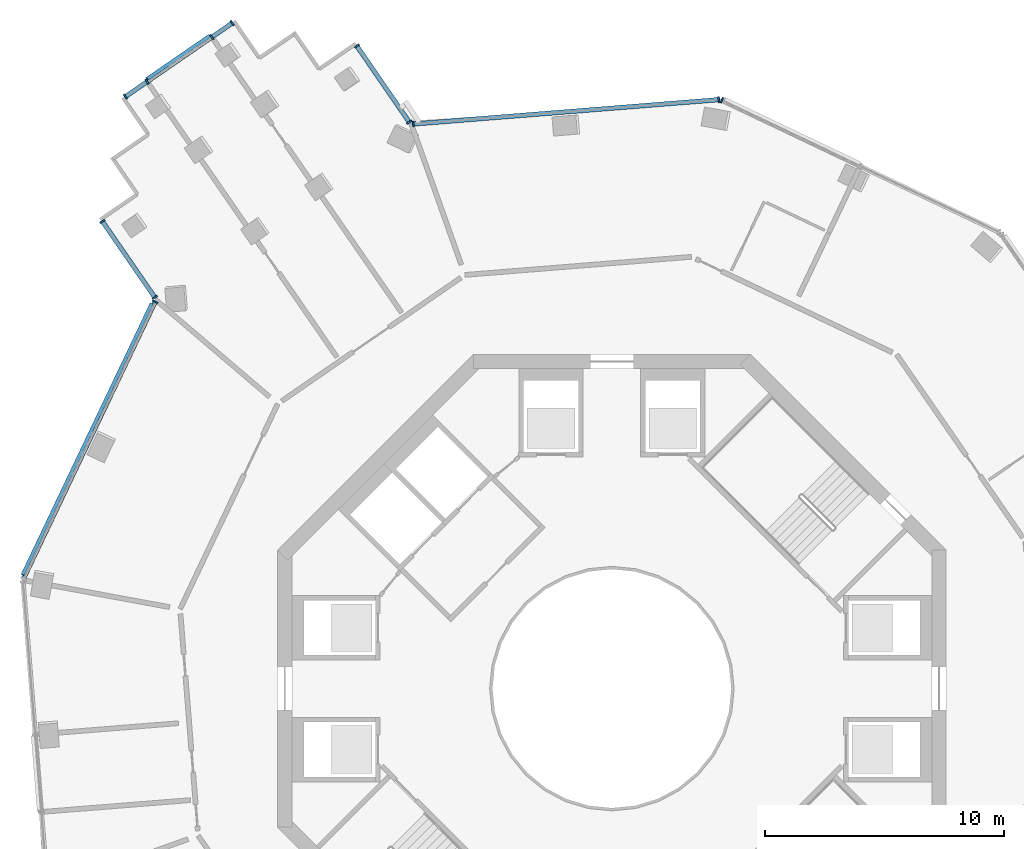
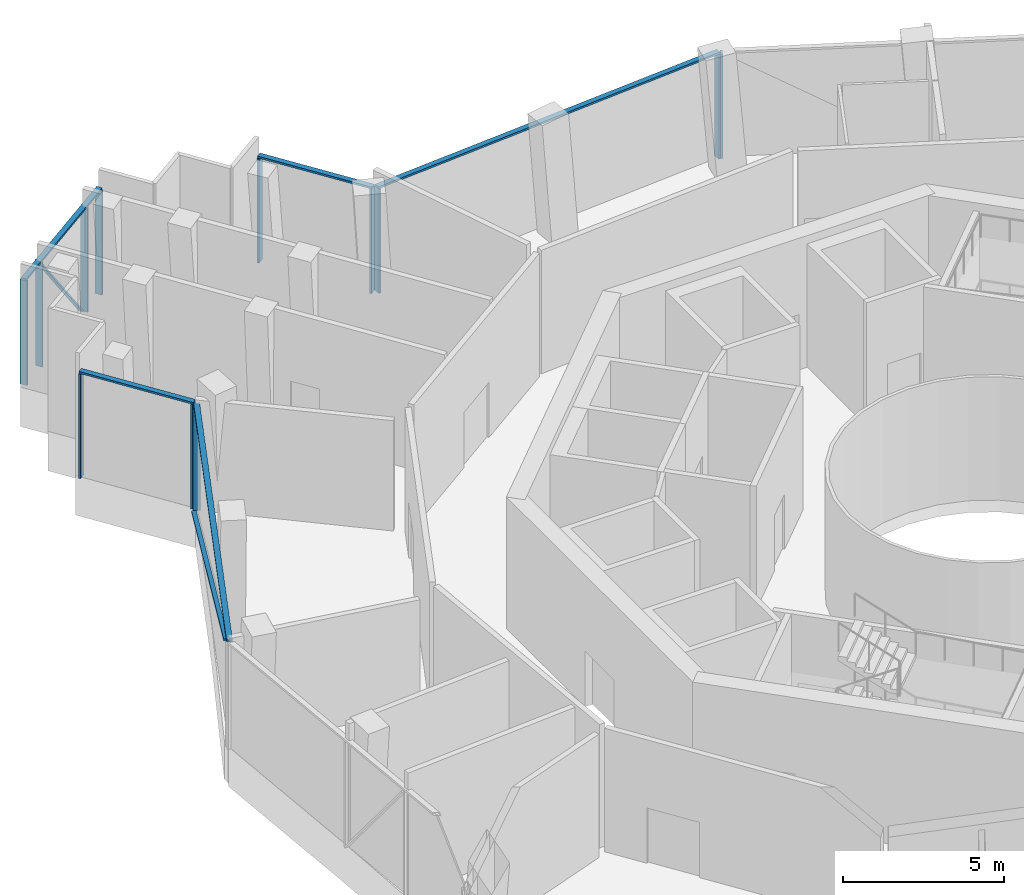
# One storey, part 4 of 21: 19 members, 6 elements without a shape of their own.
"""IFC4 building model written with IfcOpenShell, lengths in metres."""

import ifcopenshell
import ifcopenshell.guid

model = None  # the IFC model being written
_history = None  # IfcOwnerHistory: only IFC2X3 demands one
_inside = {}  # id of a spatial element -> (the spatial element, [elements in it])
_under = {}  # id of a project, library or spatial element -> (it, [spatial elements below it])
_declared = {}  # id of a project -> (the project, [libraries it declares])
_typed = {}  # id of a type object -> (the type object, [elements of that type])
_made_of = {}  # id of a material, layer set ... -> (it, [elements and type objects made of it])


def new_model(schema):
    """Start an empty IFC model of exactly this schema.

    Asked for "IFC4X3", IfcOpenShell would pick the latest addendum, in which some entities
    have other attributes; the version numbers below select the first issue.
    IFC2X3 requires an IfcOwnerHistory on every rooted entity: one is made here for all.
    """
    global model, _history
    if schema == "IFC4X3":
        model = ifcopenshell.file(schema_version=(4, 3, 0, 0))
    else:
        model = ifcopenshell.file(schema=schema)
    _inside.clear()
    _under.clear()
    _declared.clear()
    _typed.clear()
    _made_of.clear()
    _history = None
    if model.schema == "IFC2X3":
        org = make("IfcOrganization", Name="unknown")
        user = make(
            "IfcPersonAndOrganization",
            ThePerson=make("IfcPerson", FamilyName="unknown"),
            TheOrganization=org,
        )
        app = make(
            "IfcApplication",
            ApplicationDeveloper=org,
            Version="unknown",
            ApplicationFullName="unknown",
            ApplicationIdentifier="unknown",
        )
        _history = make(
            "IfcOwnerHistory",
            OwningUser=user,
            OwningApplication=app,
            ChangeAction="ADDED",
            CreationDate=0,
        )
    return model


def make(cls, **values):
    """One entity of the class cls with the attributes given. An attribute that is None is left unset."""
    return model.create_entity(
        cls, **{name: value for name, value in values.items() if value is not None}
    )


def rooted(cls, **values):
    """An entity with a GlobalId (a new one), such as an element, a storey or a relation."""
    return make(cls, GlobalId=ifcopenshell.guid.new(), OwnerHistory=_history, **values)


def si_unit(unit_type, name, prefix=None):
    """IfcSIUnit, for example si_unit("LENGTHUNIT", "METRE", prefix="MILLI")."""
    return make("IfcSIUnit", UnitType=unit_type, Prefix=prefix, Name=name)


def assignment(units):
    """IfcUnitAssignment: the units of a project."""
    return None if units is None else make("IfcUnitAssignment", Units=units)


def point(xyz):
    """IfcCartesianPoint."""
    return None if xyz is None else make("IfcCartesianPoint", Coordinates=xyz)


def direction(xyz):
    """IfcDirection."""
    return None if xyz is None else make("IfcDirection", DirectionRatios=xyz)


def frame(location, z_axis=None, x_axis=None):
    """IfcAxis2Placement3D, a coordinate frame: its origin and axes. An axis left out is left unset."""
    return make(
        "IfcAxis2Placement3D",
        Location=point(location),
        Axis=direction(z_axis),
        RefDirection=direction(x_axis),
    )


def frame_2d(location, x_axis=None):
    """IfcAxis2Placement2D, a coordinate frame in the plane: its origin and x axis."""
    return make(
        "IfcAxis2Placement2D", Location=point(location), RefDirection=direction(x_axis)
    )


def origin():
    """The frame at (0, 0, 0) with its axes left unset."""
    return frame((0.0, 0.0, 0.0))


def origin_2d():
    """The frame at (0, 0) in the plane with its x axis left unset."""
    return frame_2d((0.0, 0.0))


def place(relative_to, where):
    """IfcLocalPlacement: puts the frame where relative to a parent placement (None: the world)."""
    return make(
        "IfcLocalPlacement", PlacementRelTo=relative_to, RelativePlacement=where
    )


def context(
    kind, dimensions, precision=None, world=None, true_north=None, identifier=None
):
    """IfcGeometricRepresentationContext, for example the 3D "Model" context."""
    return make(
        "IfcGeometricRepresentationContext",
        ContextIdentifier=identifier,
        ContextType=kind,
        CoordinateSpaceDimension=dimensions,
        Precision=precision,
        WorldCoordinateSystem=world,
        TrueNorth=true_north,
    )


def subcontext(parent, identifier, kind, view, scale=None):
    """IfcGeometricRepresentationSubContext, for example "Body" below "Model"."""
    return make(
        "IfcGeometricRepresentationSubContext",
        ContextIdentifier=identifier,
        ContextType=kind,
        ParentContext=parent,
        TargetScale=scale,
        TargetView=view,
    )


def project(units=None, contexts=None):
    """IfcProject with its units and contexts."""
    return rooted(
        "IfcProject",
        Name="project",
        RepresentationContexts=contexts,
        UnitsInContext=assignment(units),
    )


def spatial(cls, under=None, at=None, **own):
    """A site, building, storey or space (cls), placed at a placement, below another one or the project."""
    s = rooted(cls, ObjectPlacement=at, **own)
    if under is not None:
        _under.setdefault(under.id(), (under, []))[1].append(s)
    return s


def profile(cls, at=None, kind="AREA", **sizes):
    """A parametric profile (cls). Its sizes go by their IFC names, for example OverallWidth=200.0."""
    return make(cls, ProfileType=kind, Position=at, **sizes)


def rectangle(**sizes):
    """IfcRectangleProfileDef."""
    return profile("IfcRectangleProfileDef", **sizes)


def extrude(swept, where, along, depth):
    """IfcExtrudedAreaSolid: the profile swept, set in the frame where, extruded along a direction by depth."""
    return make(
        "IfcExtrudedAreaSolid",
        SweptArea=swept,
        Position=where,
        ExtrudedDirection=direction(along),
        Depth=depth,
    )


def shape(context_of_items, identifier, shape_type, items):
    """IfcShapeRepresentation: the items that make up one representation, for example the "Body"."""
    return make(
        "IfcShapeRepresentation",
        ContextOfItems=context_of_items,
        RepresentationIdentifier=identifier,
        RepresentationType=shape_type,
        Items=items,
    )


def material(Name=None, Category=None):
    """IfcMaterial."""
    return make("IfcMaterial", Name=Name, Category=Category)


def layer(
    of_material, thickness, ventilated=None, Name=None, Category=None, Priority=None
):
    """IfcMaterialLayer: one layer of a wall or slab, of a material (None: an air gap)."""
    return make(
        "IfcMaterialLayer",
        Material=of_material,
        LayerThickness=thickness,
        IsVentilated=ventilated,
        Name=Name,
        Category=Category,
        Priority=Priority,
    )


def layer_set(layers, Name=None):
    """IfcMaterialLayerSet."""
    return make("IfcMaterialLayerSet", MaterialLayers=layers, LayerSetName=Name)


def material_profile(
    of_material, cross_section, Name=None, Category=None, Priority=None
):
    """IfcMaterialProfile: a cross section and its material."""
    return make(
        "IfcMaterialProfile",
        Name=Name,
        Material=of_material,
        Profile=cross_section,
        Priority=Priority,
        Category=Category,
    )


def profile_set(profiles, Name=None, composite=None):
    """IfcMaterialProfileSet."""
    return make(
        "IfcMaterialProfileSet",
        Name=Name,
        MaterialProfiles=profiles,
        CompositeProfile=composite,
    )


def made_of(thing, what):
    """Note that an element or type object is made of a material, layer set ...; save() writes the relation."""
    if what is not None:
        _made_of.setdefault(what.id(), (what, []))[1].append(thing)
    return thing


def type_object(cls, material=None, **own):
    """A type object (cls), such as IfcWallType, which elements share."""
    return made_of(rooted(cls, **own), material)


def element(
    cls,
    number,
    at=None,
    inside=None,
    cuts=None,
    type_object=None,
    material=None,
    context=None,
    identifier="Body",
    shape_type=None,
    held_by="IfcProductDefinitionShape",
    body=None,
    shapes=None,
    **own,
):
    """One element of the class cls, such as IfcWall. Its Tag is "e" and its number.

    at: its placement. inside: the storey or other place that contains it. cuts: it is an
    opening in that element (IfcRelVoidsElement). A single representation is given by context,
    identifier, shape_type and body (its items); several are given by shapes. held_by: the class
    of the entity that holds the representations. save() writes the other relations.
    """
    e = rooted(cls, Tag="e%d" % number, ObjectPlacement=at, **own)
    if body is not None:
        shapes = [shape(context, identifier, shape_type, body)]
    if shapes is not None:
        e.Representation = make(held_by, Representations=shapes)
    if inside is not None:
        _inside.setdefault(inside.id(), (inside, []))[1].append(e)
    if cuts is not None:
        rooted(
            "IfcRelVoidsElement", RelatingBuildingElement=cuts, RelatedOpeningElement=e
        )
    if type_object is not None:
        _typed.setdefault(type_object.id(), (type_object, []))[1].append(e)
    return made_of(e, material)


def aggregate(whole, parts):
    """IfcRelAggregates: a whole, such as a stair, and the parts it consists of."""
    return rooted("IfcRelAggregates", RelatingObject=whole, RelatedObjects=parts)


def save(model, path):
    """Write the relations noted so far, then the file.

    IfcRelAggregates (storeys below a building ...), IfcRelContainedInSpatialStructure (elements
    in a storey), IfcRelDefinesByType, IfcRelAssociatesMaterial and IfcRelDeclares: one each for
    every whole, place, type object, material and project.
    """
    for whole, parts in _under.values():
        aggregate(whole, parts)
    for where, things in _inside.values():
        rooted(
            "IfcRelContainedInSpatialStructure",
            RelatedElements=things,
            RelatingStructure=where,
        )
    for kind, things in _typed.values():
        rooted("IfcRelDefinesByType", RelatedObjects=things, RelatingType=kind)
    for what, things in _made_of.values():
        rooted("IfcRelAssociatesMaterial", RelatedObjects=things, RelatingMaterial=what)
    for by, libraries in _declared.values():
        rooted("IfcRelDeclares", RelatingContext=by, RelatedDefinitions=libraries)
    model.write(path)


model = new_model("IFC4")

# Units and contexts
model_context = context("Model", 3, precision=1e-05, world=origin(), true_north=direction((0.0, 1.0)))
body_context = subcontext(model_context, "Body", "Model", "MODEL_VIEW")
ifc_project = project(units=[si_unit("LENGTHUNIT", "METRE"), si_unit("AREAUNIT", "SQUARE_METRE"), si_unit("VOLUMEUNIT", "CUBIC_METRE"), si_unit("PLANEANGLEUNIT", "RADIAN"), si_unit("MASSUNIT", "GRAM", prefix="KILO")], contexts=[model_context])

# Site, building, storey
site_placement = place(None, origin())
site = spatial("IfcSite", under=ifc_project, at=site_placement, CompositionType="ELEMENT")
building_placement = place(site_placement, origin())
building = spatial("IfcBuilding", under=site, at=building_placement, Name="Verdalira Terraces Hotel", CompositionType="ELEMENT")
storey_placement = place(building_placement, frame((0.0, 0.0, 175.0)))
storey = spatial("IfcBuildingStorey", under=building, at=storey_placement, Name="L42", CompositionType="ELEMENT", Elevation=175.0)

# Curtain wall, members
ifc_material_1 = material(Name="Clear glass", Category="glass")
ifc_layer = layer(ifc_material_1, 0.239990234375)
ifc_layer_set = layer_set([ifc_layer], Name="CW5 curtain wall")
curtain_wall_type = type_object("IfcCurtainWallType", Name="CW5 curtain wall", PredefinedType="NOTDEFINED", material=ifc_layer_set)
curtain_wall_1_placement = place(storey_placement, origin())
curtain_wall_1 = element("IfcCurtainWall", 1, at=curtain_wall_1_placement, inside=storey, type_object=curtain_wall_type, Name="CW5 curtain wall L42 edge 0", PredefinedType="NOTDEFINED")
ifc_material_2 = material(Name="Terracotta frame", Category="masonry")
ifc_material_profile_1 = material_profile(ifc_material_2, rectangle(XDim=0.070068, YDim=0.23999, at=origin_2d()), Name="MU 70x240")
ifc_profile_set_1 = profile_set([ifc_material_profile_1], Name="Terracotta frame")
member_type_1 = type_object("IfcMemberType", Name="CW5 mullion 70x240", PredefinedType="MULLION", material=ifc_profile_set_1)
member_1_placement = place(storey_placement, frame((-8.482178, 23.719482, 0.0), z_axis=(0.0, 0.0, 1.0), x_axis=(-0.567268949, 0.823532598, 0.0)))
member_1 = element("IfcMember", 2, at=member_1_placement, type_object=member_type_1, Name="CW5 mullion", PredefinedType="MULLION", context=body_context, shape_type="SweptSolid", body=[
    extrude(rectangle(XDim=0.070068, YDim=0.23999, at=origin_2d()), origin(), (0.0, 0.0, 1.0), 3.965088),
])
member_2_placement = place(storey_placement, frame((-10.677246, 26.90625, 0.0), z_axis=(0.0, 0.0, 1.0), x_axis=(-0.567268949, 0.823532598, 0.0)))
member_2 = element("IfcMember", 3, at=member_2_placement, type_object=member_type_1, Name="CW5 mullion", PredefinedType="MULLION", context=body_context, shape_type="SweptSolid", body=[
    extrude(rectangle(XDim=0.070068, YDim=0.23999, at=origin_2d()), origin(), (0.0, 0.0, 1.0), 3.965088),
])

curtain_wall_2_placement = place(storey_placement, origin())
curtain_wall_2 = element("IfcCurtainWall", 4, at=curtain_wall_2_placement, inside=storey, type_object=curtain_wall_type, Name="CW5 curtain wall L42 edge 5", PredefinedType="NOTDEFINED")
member_3_placement = place(storey_placement, frame((-15.899658, 27.868408, 0.0), z_axis=(0.0, 0.0, 1.0), x_axis=(-0.823532598, -0.567268949, 0.0)))
member_3 = element("IfcMember", 5, at=member_3_placement, type_object=member_type_1, Name="CW5 mullion", PredefinedType="MULLION", context=body_context, shape_type="SweptSolid", body=[
    extrude(rectangle(XDim=0.070068, YDim=0.23999, at=origin_2d()), origin(), (0.0, 0.0, 1.0), 3.965088),
])
member_4_placement = place(storey_placement, frame((-16.752197, 27.28125, 0.0), z_axis=(0.0, 0.0, 1.0), x_axis=(-0.823532598, -0.567268949, 0.0)))
member_4 = element("IfcMember", 6, at=member_4_placement, type_object=member_type_1, Name="CW5 mullion", PredefinedType="MULLION", context=body_context, shape_type="SweptSolid", body=[
    extrude(rectangle(XDim=0.070068, YDim=0.23999, at=origin_2d()), origin(), (0.0, 0.0, 1.0), 3.965088),
])
member_5_placement = place(storey_placement, frame((-19.458984, 25.416748, 0.0), z_axis=(0.0, 0.0, 1.0), x_axis=(-0.823532598, -0.567268949, 0.0)))
member_5 = element("IfcMember", 7, at=member_5_placement, type_object=member_type_1, Name="CW5 mullion", PredefinedType="MULLION", context=body_context, shape_type="SweptSolid", body=[
    extrude(rectangle(XDim=0.070068, YDim=0.23999, at=origin_2d()), origin(), (0.0, 0.0, 1.0), 3.965088),
])
member_6_placement = place(storey_placement, frame((-20.371582, 24.788086, 0.0), z_axis=(0.0, 0.0, 1.0), x_axis=(-0.823532598, -0.567268949, 0.0)))
member_6 = element("IfcMember", 8, at=member_6_placement, type_object=member_type_1, Name="CW5 mullion", PredefinedType="MULLION", context=body_context, shape_type="SweptSolid", body=[
    extrude(rectangle(XDim=0.070068, YDim=0.23999, at=origin_2d()), origin(), (0.0, 0.0, 1.0), 3.965088),
])

curtain_wall_3_placement = place(storey_placement, origin())
curtain_wall_3 = element("IfcCurtainWall", 9, at=curtain_wall_3_placement, inside=storey, type_object=curtain_wall_type, Name="CW5 curtain wall L42 edge 10", PredefinedType="NOTDEFINED")
member_7_placement = place(storey_placement, frame((-21.33374, 19.565674, 0.0), z_axis=(0.0, 0.0, 1.0), x_axis=(0.567268949, -0.823532598, 0.0)))
member_7 = element("IfcMember", 10, at=member_7_placement, type_object=member_type_1, Name="CW5 mullion", PredefinedType="MULLION", context=body_context, shape_type="SweptSolid", body=[
    extrude(rectangle(XDim=0.070068, YDim=0.23999, at=origin_2d()), origin(), (0.0, 0.0, 1.0), 3.965088),
])
member_8_placement = place(storey_placement, frame((-19.138672, 16.378906, 0.0), z_axis=(0.0, 0.0, 1.0), x_axis=(0.567268949, -0.823532598, 0.0)))
member_8 = element("IfcMember", 11, at=member_8_placement, type_object=member_type_1, Name="CW5 mullion", PredefinedType="MULLION", context=body_context, shape_type="SweptSolid", body=[
    extrude(rectangle(XDim=0.070068, YDim=0.23999, at=origin_2d()), origin(), (0.0, 0.0, 1.0), 3.965088),
])

# Curtain wall, member
curtain_wall_4_placement = place(storey_placement, origin())
curtain_wall_4 = element("IfcCurtainWall", 12, at=curtain_wall_4_placement, inside=storey, type_object=curtain_wall_type, Name="CW5 curtain wall L42 edge 11", PredefinedType="NOTDEFINED")
member_9_placement = place(storey_placement, frame((-19.124268, 16.198975, 0.0), z_axis=(0.0, 0.0, 1.0), x_axis=(-0.429565676, -0.90303562, 0.0)))
member_9 = element("IfcMember", 13, at=member_9_placement, type_object=member_type_1, Name="CW5 mullion", PredefinedType="MULLION", context=body_context, shape_type="SweptSolid", body=[
    extrude(rectangle(XDim=0.070068, YDim=0.23999, at=origin_2d()), origin(), (0.0, 0.0, 1.0), 3.965088),
])

curtain_wall_5_placement = place(storey_placement, origin())
curtain_wall_5 = element("IfcCurtainWall", 14, at=curtain_wall_5_placement, inside=storey, type_object=curtain_wall_type, Name="CW5 curtain wall L42 edge 40", PredefinedType="NOTDEFINED")
member_10_placement = place(storey_placement, frame((4.605713, 24.638916, 0.0), z_axis=(0.0, 0.0, 1.0), x_axis=(-0.90303562, 0.429565676, 0.0)))
member_10 = element("IfcMember", 15, at=member_10_placement, type_object=member_type_1, Name="CW5 mullion", PredefinedType="MULLION", context=body_context, shape_type="SweptSolid", body=[
    extrude(rectangle(XDim=0.070068, YDim=0.23999, at=origin_2d()), origin(), (0.0, 0.0, 1.0), 3.965088),
])
aggregate(curtain_wall_5, [member_10])

# Curtain wall, members
curtain_wall_6_placement = place(storey_placement, origin())
curtain_wall_6 = element("IfcCurtainWall", 16, at=curtain_wall_6_placement, inside=storey, type_object=curtain_wall_type, Name="CW5 curtain wall L42 edge 41", PredefinedType="NOTDEFINED")
member_11_placement = place(storey_placement, frame((4.478271, 24.662354, 0.0), z_axis=(0.0, 0.0, 1.0), x_axis=(-0.996834625, -0.079503022, 0.0)))
member_11 = element("IfcMember", 17, at=member_11_placement, type_object=member_type_1, Name="CW5 mullion", PredefinedType="MULLION", context=body_context, shape_type="SweptSolid", body=[
    extrude(rectangle(XDim=0.070068, YDim=0.23999, at=origin_2d()), origin(), (0.0, 0.0, 1.0), 3.965088),
])
member_12_placement = place(storey_placement, frame((-8.318848, 23.641846, 0.0), z_axis=(0.0, 0.0, 1.0), x_axis=(-0.996834625, -0.079503022, 0.0)))
member_12 = element("IfcMember", 18, at=member_12_placement, type_object=member_type_1, Name="CW5 mullion", PredefinedType="MULLION", context=body_context, shape_type="SweptSolid", body=[
    extrude(rectangle(XDim=0.070068, YDim=0.23999, at=origin_2d()), origin(), (0.0, 0.0, 1.0), 3.965088),
])

# Member
ifc_material_3 = material(Name="Terracotta frame", Category="masonry")
ifc_material_profile_2 = material_profile(ifc_material_3, rectangle(XDim=0.189941, YDim=0.074951, at=origin_2d()), Name="TR 75x190")
ifc_profile_set_2 = profile_set([ifc_material_profile_2], Name="Terracotta frame")
member_type_2 = type_object("IfcMemberType", Name="CW5 transom 75x190", PredefinedType="USERDEFINED", material=ifc_profile_set_2)
member_13_placement = place(storey_placement, frame((-8.462158, 23.69043, 4.002441), z_axis=(-0.567249203, 0.823546199, 0.0), x_axis=(-0.823546199, -0.567249203, 0.0)))
member_13 = element("IfcMember", 19, at=member_13_placement, type_object=member_type_2, Name="CW5 transom", ObjectType="TRANSOM", PredefinedType="USERDEFINED", context=body_context, shape_type="SweptSolid", body=[
    extrude(rectangle(XDim=0.189941, YDim=0.074951, at=origin_2d()), origin(), (0.0, 0.0, 1.0), 3.939941),
])

aggregate(curtain_wall_1, [member_1, member_2, member_13])

member_14_placement = place(storey_placement, frame((-15.87085, 27.888428, 4.002441), z_axis=(-0.823527416, -0.567276472, 0.0), x_axis=(0.567276472, -0.823527416, 0.0)))
member_14 = element("IfcMember", 20, at=member_14_placement, type_object=member_type_2, Name="CW5 transom", ObjectType="TRANSOM", PredefinedType="USERDEFINED", context=body_context, shape_type="SweptSolid", body=[
    extrude(rectangle(XDim=0.189941, YDim=0.074951, at=origin_2d()), origin(), (0.0, 0.0, 1.0), 5.500244),
])

member_15_placement = place(storey_placement, frame((-21.353516, 19.594482, 4.002441), z_axis=(0.567278152, -0.823526258, 0.0), x_axis=(0.823526258, 0.567278152, 0.0)))
member_15 = element("IfcMember", 21, at=member_15_placement, type_object=member_type_2, Name="CW5 transom", ObjectType="TRANSOM", PredefinedType="USERDEFINED", context=body_context, shape_type="SweptSolid", body=[
    extrude(rectangle(XDim=0.189941, YDim=0.074951, at=origin_2d()), origin(), (0.0, 0.0, 1.0), 3.939697),
])

aggregate(curtain_wall_3, [member_7, member_8, member_15])

member_16_placement = place(storey_placement, frame((-19.109131, 16.230469, 4.002441), z_axis=(-0.429575264, -0.903031059, 0.0), x_axis=(0.903031059, -0.429575264, 0.0)))
member_16 = element("IfcMember", 22, at=member_16_placement, type_object=member_type_2, Name="CW5 transom", ObjectType="TRANSOM", PredefinedType="USERDEFINED", context=body_context, shape_type="SweptSolid", body=[
    extrude(rectangle(XDim=0.189941, YDim=0.074951, at=origin_2d()), origin(), (0.0, 0.0, 1.0), 12.907959),
])

member_17_placement = place(storey_placement, frame((4.513184, 24.665283, 4.002441), z_axis=(-0.996833655, -0.079515183, 0.0), x_axis=(0.079515183, -0.996833655, 0.0)))
member_17 = element("IfcMember", 23, at=member_17_placement, type_object=member_type_2, Name="CW5 transom", ObjectType="TRANSOM", PredefinedType="USERDEFINED", context=body_context, shape_type="SweptSolid", body=[
    extrude(rectangle(XDim=0.189941, YDim=0.074951, at=origin_2d()), origin(), (0.0, 0.0, 1.0), 12.907715),
])

aggregate(curtain_wall_6, [member_11, member_12, member_17])

ifc_material_4 = material(Name="Terracotta frame", Category="masonry")
ifc_material_profile_3 = material_profile(ifc_material_4, rectangle(XDim=0.149902, YDim=0.060059, at=origin_2d()), Name="GB 60x150")
ifc_profile_set_3 = profile_set([ifc_material_profile_3], Name="Terracotta frame")
member_type_3 = type_object("IfcMemberType", Name="Diagonal glazing bar 60x150", PredefinedType="USERDEFINED", material=ifc_profile_set_3)
member_18_placement = place(storey_placement, frame((-16.856201, 27.327393, 0.030273), z_axis=(-0.518839192, -0.357384788, 0.776583547), x_axis=(0.567264582, -0.823535606, 0.0)))
member_18 = element("IfcMember", 24, at=member_18_placement, type_object=member_type_3, Name="Diagonal glazing bar", ObjectType="GLAZING BAR", PredefinedType="USERDEFINED", context=body_context, shape_type="SweptSolid", body=[
    extrude(rectangle(XDim=0.149902, YDim=0.060059, at=origin_2d()), origin(), (0.0, 0.0, 1.0), 5.027832),
])

aggregate(curtain_wall_2, [member_3, member_4, member_5, member_6, member_14, member_18])

member_19_placement = place(storey_placement, frame((-19.267334, 16.123779, 0.029297), z_axis=(-0.410248239, -0.862403556, 0.296574594), x_axis=(0.903031209, -0.429574948, 0.0)))
member_19 = element("IfcMember", 25, at=member_19_placement, type_object=member_type_3, Name="Diagonal glazing bar", ObjectType="GLAZING BAR", PredefinedType="USERDEFINED", context=body_context, shape_type="SweptSolid", body=[
    extrude(rectangle(XDim=0.149902, YDim=0.060059, at=origin_2d()), origin(), (0.0, 0.0, 1.0), 13.172119),
])

aggregate(curtain_wall_4, [member_9, member_16, member_19])

save(model, "model.ifc")
